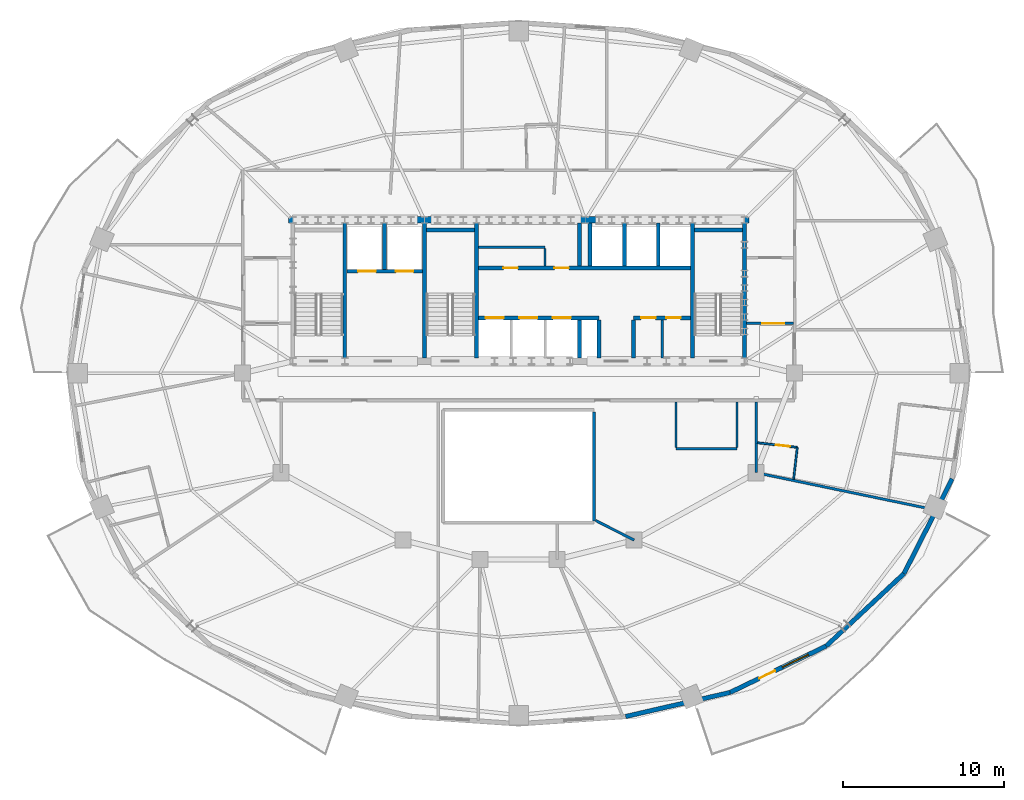
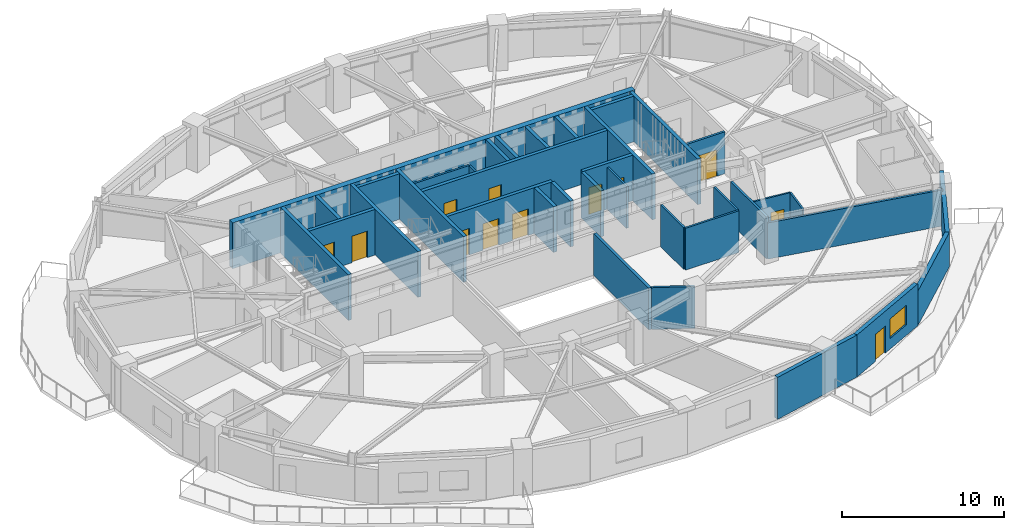
# One storey, part 5 of 10: 37 walls, 12 doors, 1 window, 13 openings.
"""IFC4 building model written with IfcOpenShell, lengths in metres."""

from ifc_helpers import new_model, si_unit, direction, frame, frame_2d, origin, place, context, subcontext, project, spatial, rectangle, extrude, material, layer, layer_set, type_object, element, fill, save


model = new_model("IFC4")

# Units and contexts
model_context = context("Model", 3, precision=1e-05, world=origin(), true_north=direction((0.0, 1.0)))
body_context = subcontext(model_context, "Body", "Model", "MODEL_VIEW")
ifc_project = project(units=[si_unit("LENGTHUNIT", "METRE"), si_unit("AREAUNIT", "SQUARE_METRE"), si_unit("VOLUMEUNIT", "CUBIC_METRE"), si_unit("PLANEANGLEUNIT", "RADIAN"), si_unit("MASSUNIT", "GRAM", prefix="KILO")], contexts=[model_context])

# Site, building, storey
site_placement = place(None, origin())
site = spatial("IfcSite", under=ifc_project, at=site_placement, CompositionType="ELEMENT")
building_placement = place(site_placement, origin())
building = spatial("IfcBuilding", under=site, at=building_placement, Name="Haldorwick Loom Tower", CompositionType="ELEMENT")
storey_placement = place(building_placement, frame((0.0, 0.0, 196.89990234375)))
storey = spatial("IfcBuildingStorey", under=building, at=storey_placement, Name="L53", CompositionType="ELEMENT", Elevation=196.89990234375)

# Wall
ifc_material_1 = material(Name="Pressed Clay Face Brick and Insulated Masonry Backup Assembly", Category="masonry")
ifc_layer_1 = layer(ifc_material_1, 0.280029296875, Name="Pressed Clay Face Brick and Insulated Masonry Backup Assembly", Category="masonry")
ifc_layer_set_1 = layer_set([ifc_layer_1], Name="Pressed Clay Face Brick and Insulated Masonry Backup Assembly")
wall_type_1 = type_object("IfcWallType", Name="ARC-WL-EXT280", PredefinedType="STANDARD", material=ifc_layer_set_1)
wall_1_placement = place(storey_placement, frame((42.665283203125, 4.61279296875, 0.0), z_axis=(0.0, 0.0, 1.0), x_axis=(0.974557343474, 0.224138315065, 0.0)))
element("IfcWall", 1, at=wall_1_placement, inside=storey, type_object=wall_type_1, Name="L53 Brick Pier and Spandrel Wall 20", PredefinedType="STANDARD", context=body_context, shape_type="SweptSolid", body=[
    extrude(rectangle(XDim=6.676025390625, YDim=0.280029296875, at=frame_2d((3.337890625, 0.0))), origin(), (0.0, 0.0, 1.0), 3.170166015625),
])

# Wall, openings, door, window
wall_2_placement = place(storey_placement, frame((49.17138671875, 6.109130859375, 0.0), z_axis=(0.0, 0.0, 1.0), x_axis=(0.900371236029, 0.435122554381, 0.0)))
wall_2 = element("IfcWall", 2, at=wall_2_placement, inside=storey, type_object=wall_type_1, Name="L53 Brick Pier and Spandrel Wall 21", PredefinedType="STANDARD", context=body_context, shape_type="SweptSolid", body=[
    extrude(rectangle(XDim=6.6533203125, YDim=0.280029296875, at=frame_2d((3.32666015625, 0.0))), origin(), (0.0, 0.0, 1.0), 3.170166015625),
])
opening_1_placement = place(wall_2_placement, frame((2.022705078125, 0.0, 0.0)))
opening_1 = element("IfcOpeningElement", 3, at=opening_1_placement, cuts=wall_2, Name="Opening D-BL11", PredefinedType="OPENING", context=body_context, shape_type="SweptSolid", body=[
    extrude(rectangle(XDim=1.080078125, YDim=2.0400390625, at=frame_2d((0.5400390625, 1.02001953125))), frame((0.0, 0.14990234375, 0.0), z_axis=(0.0, -1.0, 0.0), x_axis=(1.0, 0.0, 0.0)), (0.0, 0.0, 1.0), 0.300048828125),
])
opening_2_placement = place(wall_2_placement, frame((3.618896484375, 0.0, 0.800048828125)))
opening_2 = element("IfcOpeningElement", 4, at=opening_2_placement, cuts=wall_2, Name="Opening W-01", PredefinedType="OPENING", context=body_context, shape_type="SweptSolid", body=[
    extrude(rectangle(XDim=1.800048828125, YDim=1.47998046875, at=frame_2d((0.89990234375, 0.739990234375))), frame((0.0, 0.14990234375, 0.0), z_axis=(0.0, -1.0, 0.0), x_axis=(1.0, 0.0, 0.0)), (0.0, 0.0, 1.0), 0.300048828125),
])
ifc_material_2 = material(Name="Thermally Broken Anodized Aluminium Curtain Wall Framing", Category="aluminium")
door_type_1 = type_object("IfcDoorType", Name="ARC-DR-BAL110", OperationType="NOTDEFINED", PredefinedType="DOOR", material=ifc_material_2)
door_1_placement = place(opening_1_placement, origin())
door_1 = element("IfcDoor", 5, at=door_1_placement, inside=storey, type_object=door_type_1, Name="L53 Outdoor Terrace Door SLB-L53-BAL_SE", OperationType="SINGLE_SWING_RIGHT", OverallHeight=2.0400390625, OverallWidth=1.080078125, PredefinedType="DOOR", context=body_context, shape_type="SweptSolid", body=[
    extrude(rectangle(XDim=1.080078125, YDim=2.0400390625, at=frame_2d((0.5400390625, 1.02001953125))), frame((0.0, 0.02490234375, 0.0), z_axis=(0.0, -1.0, 0.0), x_axis=(1.0, 0.0, 0.0)), (0.0, 0.0, 1.0), 0.050048828125),
])
fill(opening_1, door_1)
ifc_material_3 = material(Name="Triple-Glazed Low-E Argon Insulated Glazing Unit", Category="glass")
window_type = type_object("IfcWindowType", Name="ARC-WIN-W180", PartitioningType="SINGLE_PANEL", PredefinedType="WINDOW", material=ifc_material_3)
window_placement = place(opening_2_placement, origin())
window = element("IfcWindow", 6, at=window_placement, inside=storey, type_object=window_type, Name="L53 Deep-Set Zone 7A Window 21", OverallHeight=1.47998046875, OverallWidth=1.800048828125, PartitioningType="SINGLE_PANEL", PredefinedType="WINDOW", context=body_context, shape_type="SweptSolid", body=[
    extrude(rectangle(XDim=1.800048828125, YDim=1.47998046875, at=frame_2d((0.89990234375, 0.739990234375))), frame((0.0, 0.030029296875, 0.0), z_axis=(0.0, -1.0, 0.0), x_axis=(1.0, 0.0, 0.0)), (0.0, 0.0, 1.0), 0.06005859375),
])
fill(opening_2, window)

# Walls
wall_3_placement = place(storey_placement, frame((55.161865234375, 9.004150390625, 0.0), z_axis=(0.0, 0.0, 1.0), x_axis=(0.731833707499, 0.681483253329, 0.0)))
element("IfcWall", 7, at=wall_3_placement, inside=storey, type_object=wall_type_1, Name="L53 Brick Pier and Spandrel Wall 22", PredefinedType="STANDARD", context=body_context, shape_type="SweptSolid", body=[
    extrude(rectangle(XDim=6.61865234375, YDim=0.280029296875, at=frame_2d((3.309326171875, 0.0))), origin(), (0.0, 0.0, 1.0), 2.60107421875),
])
wall_4_placement = place(storey_placement, frame((60.005615234375, 13.5146484375, 0.0), z_axis=(0.0, 0.0, 1.0), x_axis=(0.453032066879, 0.89149422117, 0.0)))
element("IfcWall", 8, at=wall_4_placement, inside=storey, type_object=wall_type_1, Name="L53 Brick Pier and Spandrel Wall 23", PredefinedType="STANDARD", context=body_context, shape_type="SweptSolid", body=[
    extrude(rectangle(XDim=6.618896484375, YDim=0.280029296875, at=frame_2d((3.3095703125, 0.0))), origin(), (0.0, 0.0, 1.0), 2.60107421875),
])

# Wall, opening, door
ifc_material_4 = material(Name="Fire-Rated Type X Gypsum Stud Assembly EI 60")
ifc_layer_2 = layer(ifc_material_4, 0.159912109375, Name="Fire-Rated Type X Gypsum Stud Assembly EI 60")
ifc_layer_set_2 = layer_set([ifc_layer_2], Name="Fire-Rated Type X Gypsum Stud Assembly EI 60")
wall_type_2 = type_object("IfcWallType", Name="ARC-WL-FIRE160", PredefinedType="PARTITIONING", material=ifc_layer_set_2)
wall_5_placement = place(storey_placement, frame((50.193115234375, 29.10009765625, 0.0), z_axis=(0.0, 0.0, 1.0), x_axis=(1.0, 0.0, 0.0)))
wall_5 = element("IfcWall", 9, at=wall_5_placement, inside=storey, type_object=wall_type_2, Name="L53 Residential Fire Partition L53-CR-ESJ", PredefinedType="PARTITIONING", context=body_context, shape_type="SweptSolid", body=[
    extrude(rectangle(XDim=2.923828125, YDim=0.159912109375, at=frame_2d((1.4619140625, 0.0))), origin(), (0.0, 0.0, 1.0), 3.155029296875),
])
opening_3_placement = place(wall_5_placement, frame((0.99560546875, 0.0, 0.0)))
opening_3 = element("IfcOpeningElement", 10, at=opening_3_placement, cuts=wall_5, Name="Opening D-CR15", PredefinedType="OPENING", context=body_context, shape_type="SweptSolid", body=[
    extrude(rectangle(XDim=1.35009765625, YDim=2.0, at=frame_2d((0.675048828125, 1.0))), frame((0.0, 0.08984375, 0.0), z_axis=(0.0, -1.0, 0.0), x_axis=(1.0, 0.0, 0.0)), (0.0, 0.0, 1.0), 0.179931640625),
])
ifc_material_5 = material(Name="Thermally Broken Anodized Aluminium and Tempered Glass", Category="aluminium")
door_type_2 = type_object("IfcDoorType", Name="ARC-DR-COR150", OperationType="NOTDEFINED", PredefinedType="DOOR", material=ifc_material_5)
door_2_placement = place(opening_3_placement, origin())
door_2 = element("IfcDoor", 11, at=door_2_placement, inside=storey, type_object=door_type_2, Name="L53 L53 East Residential Corridor to L53 Central Residential Corridor Do", OperationType="DOUBLE_DOOR_SINGLE_SWING", OverallHeight=2.0, OverallWidth=1.35009765625, PredefinedType="DOOR", context=body_context, shape_type="SweptSolid", body=[
    extrude(rectangle(XDim=1.35009765625, YDim=2.0, at=frame_2d((0.675048828125, 1.0))), frame((0.0, 0.02490234375, 0.0), z_axis=(0.0, -1.0, 0.0), x_axis=(1.0, 0.0, 0.0)), (0.0, 0.0, 1.0), 0.050048828125),
])
fill(opening_3, door_2)

# Walls
wall_6_placement = place(storey_placement, frame((50.800048828125, 19.800048828125, 0.0), z_axis=(0.0, 0.0, 1.0), x_axis=(0.979117284222, -0.203296197056, 0.0)))
element("IfcWall", 12, at=wall_6_placement, inside=storey, type_object=wall_type_2, Name="L53 Residential Fire Partition L53-ICR-02", PredefinedType="PARTITIONING", context=body_context, shape_type="SweptSolid", body=[
    extrude(rectangle(XDim=11.40869140625, YDim=0.159912109375, at=frame_2d((5.704345703125, 0.0))), origin(), (0.0, 0.0, 1.0), 2.732177734375),
])
wall_7_placement = place(storey_placement, frame((50.800048828125, 24.217041015625, 0.0), z_axis=(0.0, 0.0, 1.0), x_axis=(0.0, -1.0, 0.0)))
element("IfcWall", 13, at=wall_7_placement, inside=storey, type_object=wall_type_2, Name="L53 Residential Fire Partition L53-ICA-01", PredefinedType="PARTITIONING", context=body_context, shape_type="SweptSolid", body=[
    extrude(rectangle(XDim=4.4169921875, YDim=0.159912109375, at=frame_2d((2.20849609375, 0.0))), origin(), (0.0, 0.0, 1.0), 3.155029296875),
])
wall_8_placement = place(storey_placement, frame((40.802978515625, 16.822021484375, 0.0), z_axis=(0.0, 0.0, 1.0), x_axis=(0.890915506237, -0.454169088278, 0.0)))
element("IfcWall", 14, at=wall_8_placement, inside=storey, type_object=wall_type_2, Name="L53 Residential Fire Partition L53-ICA-03", PredefinedType="PARTITIONING", context=body_context, shape_type="SweptSolid", body=[
    extrude(rectangle(XDim=2.6904296875, YDim=0.159912109375, at=frame_2d((1.34521484375, 0.0))), origin(), (0.0, 0.0, 1.0), 3.155029296875),
])
ifc_material_6 = material(Name="Fire-Rated Type X Gypsum Stud Assembly EI 120")
ifc_layer_3 = layer(ifc_material_6, 0.199951171875, Name="Fire-Rated Type X Gypsum Stud Assembly EI 120")
ifc_layer_set_3 = layer_set([ifc_layer_3], Name="Fire-Rated Type X Gypsum Stud Assembly EI 120")
wall_type_3 = type_object("IfcWallType", Name="ARC-WL-FIRE200", PredefinedType="PARTITIONING", material=ifc_layer_set_3)
wall_9_placement = place(storey_placement, frame((40.699951171875, 23.596923828125, 0.0), z_axis=(0.0, 0.0, 1.0), x_axis=(0.0, -1.0, 0.0)))
element("IfcWall", 15, at=wall_9_placement, inside=storey, type_object=wall_type_3, Name="L53 Atrium Fire Enclosure Wall E", PredefinedType="PARTITIONING", context=body_context, shape_type="SweptSolid", body=[
    extrude(rectangle(XDim=6.7939453125, YDim=0.199951171875, at=frame_2d((3.39697265625, 0.0))), origin(), (0.0, 0.0, 1.0), 3.155029296875),
])
ifc_material_7 = material(Name="Acoustic Gypsum Stud Assembly STC 55")
ifc_layer_4 = layer(ifc_material_7, 0.1201171875, Name="Acoustic Gypsum Stud Assembly STC 55")
ifc_layer_set_4 = layer_set([ifc_layer_4], Name="Acoustic Gypsum Stud Assembly STC 55")
wall_type_4 = type_object("IfcWallType", Name="ARC-WL-PART120", PredefinedType="PARTITIONING", material=ifc_layer_set_4)
wall_10_placement = place(storey_placement, frame((53.131103515625, 19.400634765625, 0.0), z_axis=(0.0, 0.0, 1.0), x_axis=(0.115866587117, 0.993264785437, 0.0)))
element("IfcWall", 16, at=wall_10_placement, inside=storey, type_object=wall_type_4, Name="L53 Unit 53B Interior Partition", PredefinedType="PARTITIONING", context=body_context, shape_type="SweptSolid", body=[
    extrude(rectangle(XDim=1.9912109375, YDim=0.1201171875, at=frame_2d((0.99560546875, 0.0))), origin(), (0.0, 0.0, 1.0), 3.155029296875),
])

# Wall, opening, door
wall_11_placement = place(storey_placement, frame((50.883056640625, 21.667724609375, 0.0), z_axis=(0.0, 0.0, 1.0), x_axis=(0.993257695601, -0.115927348497, 0.0)))
wall_11 = element("IfcWall", 17, at=wall_11_placement, inside=storey, type_object=wall_type_4, Name="L53 Unit 53B Interior Partition", PredefinedType="PARTITIONING", context=body_context, shape_type="SweptSolid", body=[
    extrude(rectangle(XDim=2.49560546875, YDim=0.1201171875, at=frame_2d((1.247802734375, 0.0))), origin(), (0.0, 0.0, 1.0), 3.155029296875),
])
opening_4_placement = place(wall_11_placement, frame((1.15869140625, 0.0, 0.0)))
opening_4 = element("IfcOpeningElement", 18, at=opening_4_placement, cuts=wall_11, Name="Opening D-BT88", PredefinedType="OPENING", context=body_context, shape_type="SweptSolid", body=[
    extrude(rectangle(XDim=0.8798828125, YDim=2.02001953125, at=frame_2d((0.43994140625, 1.010009765625))), frame((0.0, 0.070068359375, 0.0), z_axis=(0.0, -1.0, 0.0), x_axis=(1.0, 0.0, 0.0)), (0.0, 0.0, 1.0), 0.14013671875),
])
ifc_material_8 = material(Name="Solid Core Birch Architectural Door")
door_type_3 = type_object("IfcDoorType", Name="ARC-DR-BATH88", OperationType="NOTDEFINED", PredefinedType="DOOR", material=ifc_material_8)
door_3_placement = place(opening_4_placement, origin())
door_3 = element("IfcDoor", 19, at=door_3_placement, inside=storey, type_object=door_type_3, Name="L53 Unit 53B Kitchen and Penthouse Living Room to Unit 53B Bathroom Door", OperationType="SINGLE_SWING_LEFT", OverallHeight=2.02001953125, OverallWidth=0.8798828125, PredefinedType="DOOR", context=body_context, shape_type="SweptSolid", body=[
    extrude(rectangle(XDim=0.8798828125, YDim=2.02001953125, at=frame_2d((0.43994140625, 1.010009765625))), frame((0.0, 0.02490234375, 0.0), z_axis=(0.0, -1.0, 0.0), x_axis=(1.0, 0.0, 0.0)), (0.0, 0.0, 1.0), 0.050048828125),
])
fill(opening_4, door_3)

# Walls
ifc_layer_5 = layer(ifc_material_4, 0.139892578125, Name="Fire-Rated Type X Gypsum Stud Assembly EI 60")
ifc_layer_set_5 = layer_set([ifc_layer_5], Name="Fire-Rated Type X Gypsum Stud Assembly EI 60")
wall_type_5 = type_object("IfcWallType", Name="ARC-WL-PART140", PredefinedType="PARTITIONING", material=ifc_layer_set_5)
wall_12_placement = place(storey_placement, frame((33.492919921875, 33.85009765625, 0.0), z_axis=(0.0, 0.0, 1.0), x_axis=(1.0, 0.0, 0.0)))
element("IfcWall", 20, at=wall_12_placement, inside=storey, type_object=wall_type_5, Name="L53 Storage South Partition", PredefinedType="PARTITIONING", context=body_context, shape_type="SweptSolid", body=[
    extrude(rectangle(XDim=4.156982421875, YDim=0.139892578125, at=frame_2d((2.07861328125, 0.0))), origin(), (0.0, 0.0, 1.0), 3.155029296875),
])
wall_13_placement = place(storey_placement, frame((37.64990234375, 32.673095703125, 0.0), z_axis=(0.0, 0.0, 1.0), x_axis=(0.0, 1.0, 0.0)))
element("IfcWall", 21, at=wall_13_placement, inside=storey, type_object=wall_type_5, Name="L53 Storage East Partition", PredefinedType="PARTITIONING", context=body_context, shape_type="SweptSolid", body=[
    extrude(rectangle(XDim=1.10400390625, YDim=0.139892578125, at=frame_2d((0.552001953125, 0.0))), origin(), (0.0, 0.0, 1.0), 3.155029296875),
])
wall_14_placement = place(storey_placement, frame((44.949951171875, 26.952880859375, 0.0), z_axis=(0.0, 0.0, 1.0), x_axis=(0.0, 1.0, 0.0)))
element("IfcWall", 22, at=wall_14_placement, inside=storey, type_object=wall_type_5, Name="L53 Service Partition", PredefinedType="PARTITIONING", context=body_context, shape_type="SweptSolid", body=[
    extrude(rectangle(XDim=2.3740234375, YDim=0.139892578125, at=frame_2d((1.18701171875, 0.0))), origin(), (0.0, 0.0, 1.0), 3.155029296875),
])
wall_15_placement = place(storey_placement, frame((45.800048828125, 21.300048828125, 0.0), z_axis=(0.0, 0.0, 1.0), x_axis=(1.0, 0.0, 0.0)))
element("IfcWall", 23, at=wall_15_placement, inside=storey, type_object=wall_type_5, Name="L53 Residential Fire Partition L53-CWC-S", PredefinedType="PARTITIONING", context=body_context, shape_type="SweptSolid", body=[
    extrude(rectangle(XDim=3.800048828125, YDim=0.139892578125, at=frame_2d((1.89990234375, 0.0))), origin(), (0.0, 0.0, 1.0), 3.155029296875),
])
for number, where, z_axis, x_axis, name in (
    (24, (45.800048828125, 21.373046875, 0.0), (0.0, 0.0, 1.0), (0.0, 1.0, 0.0), "L53 Residential Fire Partition L53-CWC-W"),
    (25, (49.60009765625, 21.373046875, 0.0), (0.0, 0.0, 1.0), (0.0, 1.0, 0.0), "L53 Residential Fire Partition L53-CWC-E"),
):
    element("IfcWall", number, at=place(storey_placement, frame(where, z_axis=z_axis, x_axis=x_axis)), inside=storey, type_object=wall_type_5, Name=name, PredefinedType="PARTITIONING", context=body_context, shape_type="SweptSolid", body=[
        extrude(rectangle(XDim=2.843994140625, YDim=0.139892578125, at=frame_2d((1.421875, 0.0))), origin(), (0.0, 0.0, 1.0), 3.155029296875),
    ])
ifc_material_9 = material(Name="Concrete C50 (50 MPa)", Category="concrete")
ifc_layer_6 = layer(ifc_material_9, 0.39990234375, Name="Concrete C50 (50 MPa)", Category="concrete")
ifc_layer_set_6 = layer_set([ifc_layer_6], Name="Concrete C50 (50 MPa)")
wall_type_6 = type_object("IfcWallType", Name="STR-WL-CORE400", PredefinedType="SHEAR", material=ifc_layer_set_6)
wall_16_placement = place(storey_placement, frame((50.35009765625, 35.550048828125, 0.0), z_axis=(0.0, 0.0, 1.0), x_axis=(-1.0, 0.0, 0.0)))
element("IfcWall", 26, at=wall_16_placement, inside=storey, type_object=wall_type_6, Name="L53 Core Shear Wall N", PredefinedType="SHEAR", context=body_context, shape_type="SweptSolid", body=[
    extrude(rectangle(XDim=28.7001953125, YDim=0.39990234375, at=frame_2d((14.35009765625, 0.0))), origin(), (0.0, 0.0, 1.0), 3.4501953125),
])
ifc_layer_7 = layer(ifc_material_9, 0.239990234375, Name="Concrete C50 (50 MPa)", Category="concrete")
ifc_layer_set_7 = layer_set([ifc_layer_7], Name="Concrete C50 (50 MPa)")
wall_type_7 = type_object("IfcWallType", Name="STR-WL-SHAFT240", PredefinedType="SHEAR", material=ifc_layer_set_7)
for number, where, z_axis, x_axis, name in (
    (27, (50.070068359375, 26.952880859375, 0.0), (0.0, 0.0, 1.0), (0.0, 1.0, 0.0), "L53 Core Shear Wall E"),
    (28, (25.169921875, 26.952880859375, 0.0), (0.0, 0.0, 1.0), (0.0, 1.0, 0.0), "L53 Core Shear Wall 1"),
    (29, (30.1298828125, 26.952880859375, 0.0), (0.0, 0.0, 1.0), (0.0, 1.0, 0.0), "L53 Core Shear Wall 2"),
    (30, (33.3701171875, 26.952880859375, 0.0), (0.0, 0.0, 1.0), (0.0, 1.0, 0.0), "L53 Core Shear Wall 3"),
):
    element("IfcWall", number, at=place(storey_placement, frame(where, z_axis=z_axis, x_axis=x_axis)), inside=storey, type_object=wall_type_7, Name=name, PredefinedType="SHEAR", context=body_context, shape_type="SweptSolid", body=[
        extrude(rectangle(XDim=8.39404296875, YDim=0.239990234375, at=frame_2d((4.197021484375, 0.0))), origin(), (0.0, 0.0, 1.0), 3.4501953125),
    ])
wall_17_placement = place(storey_placement, frame((30.2529296875, 34.919921875, 0.0), z_axis=(0.0, 0.0, 1.0), x_axis=(1.0, 0.0, 0.0)))
element("IfcWall", 31, at=wall_17_placement, inside=storey, type_object=wall_type_7, Name="L53 Core Shear Wall 3N", PredefinedType="SHEAR", context=body_context, shape_type="SweptSolid", body=[
    extrude(rectangle(XDim=2.994140625, YDim=0.239990234375, at=frame_2d((1.4970703125, 0.0))), origin(), (0.0, 0.0, 1.0), 3.4501953125),
])
wall_18_placement = place(storey_placement, frame((46.830078125, 26.952880859375, 0.0), z_axis=(0.0, 0.0, 1.0), x_axis=(0.0, 1.0, 0.0)))
element("IfcWall", 32, at=wall_18_placement, inside=storey, type_object=wall_type_7, Name="L53 Core Shear Wall 4", PredefinedType="SHEAR", context=body_context, shape_type="SweptSolid", body=[
    extrude(rectangle(XDim=8.39404296875, YDim=0.239990234375, at=frame_2d((4.197021484375, 0.0))), origin(), (0.0, 0.0, 1.0), 3.4501953125),
])
wall_19_placement = place(storey_placement, frame((46.952880859375, 34.919921875, 0.0), z_axis=(0.0, 0.0, 1.0), x_axis=(1.0, 0.0, 0.0)))
element("IfcWall", 33, at=wall_19_placement, inside=storey, type_object=wall_type_7, Name="L53 Core Shear Wall 4N", PredefinedType="SHEAR", context=body_context, shape_type="SweptSolid", body=[
    extrude(rectangle(XDim=2.994140625, YDim=0.239990234375, at=frame_2d((1.4970703125, 0.0))), origin(), (0.0, 0.0, 1.0), 3.4501953125),
])

# Wall, openings, doors
wall_20_placement = place(storey_placement, frame((25.29296875, 32.35009765625, 0.0), z_axis=(0.0, 0.0, 1.0), x_axis=(1.0, 0.0, 0.0)))
wall_20 = element("IfcWall", 34, at=wall_20_placement, inside=storey, type_object=wall_type_7, Name="L53 Core Shear Wall FF", PredefinedType="SHEAR", context=body_context, shape_type="SweptSolid", body=[
    extrude(rectangle(XDim=4.714111328125, YDim=0.239990234375, at=frame_2d((2.35693359375, 0.0))), origin(), (0.0, 0.0, 1.0), 3.4501953125),
])
opening_5_placement = place(wall_20_placement, frame((0.70703125, 0.0, 0.0)))
opening_5 = element("IfcOpeningElement", 35, at=opening_5_placement, cuts=wall_20, Name="Opening LD-FF1", PredefinedType="OPENING", context=body_context, shape_type="SweptSolid", body=[
    extrude(rectangle(XDim=1.10009765625, YDim=2.0, at=frame_2d((0.550048828125, 1.0))), frame((0.0, 0.1298828125, 0.0), z_axis=(0.0, -1.0, 0.0), x_axis=(1.0, 0.0, 0.0)), (0.0, 0.0, 1.0), 0.260009765625),
])
opening_6_placement = place(wall_20_placement, frame((3.056884765625, 0.0, 0.0)))
opening_6 = element("IfcOpeningElement", 36, at=opening_6_placement, cuts=wall_20, Name="Opening LD-FF2", PredefinedType="OPENING", context=body_context, shape_type="SweptSolid", body=[
    extrude(rectangle(XDim=1.10009765625, YDim=2.0, at=frame_2d((0.550048828125, 1.0))), frame((0.0, 0.1298828125, 0.0), z_axis=(0.0, -1.0, 0.0), x_axis=(1.0, 0.0, 0.0)), (0.0, 0.0, 1.0), 0.260009765625),
])
ifc_material_10 = material(Name="Hollow Steel Fire Door Assembly", Category="steel")
door_type_4 = type_object("IfcDoorType", Name="ARC-DR-LD-FF", OperationType="NOTDEFINED", PredefinedType="USERDEFINED", material=ifc_material_10)
door_4_placement = place(opening_5_placement, origin())
door_4 = element("IfcDoor", 37, at=door_4_placement, inside=storey, type_object=door_type_4, Name="L53 Lift LF-FF1 Sliding Landing Door", ObjectType="LANDING DOOR", OperationType="DOUBLE_DOOR_SLIDING", OverallHeight=2.0, OverallWidth=1.10009765625, PredefinedType="USERDEFINED", context=body_context, shape_type="SweptSolid", body=[
    extrude(rectangle(XDim=1.10009765625, YDim=2.0, at=frame_2d((0.550048828125, 1.0))), frame((0.0, 0.02490234375, 0.0), z_axis=(0.0, -1.0, 0.0), x_axis=(1.0, 0.0, 0.0)), (0.0, 0.0, 1.0), 0.050048828125),
])
fill(opening_5, door_4)
door_5_placement = place(opening_6_placement, origin())
door_5 = element("IfcDoor", 38, at=door_5_placement, inside=storey, type_object=door_type_4, Name="L53 Lift LF-FF2 Sliding Landing Door", ObjectType="LANDING DOOR", OperationType="DOUBLE_DOOR_SLIDING", OverallHeight=2.0, OverallWidth=1.10009765625, PredefinedType="USERDEFINED", context=body_context, shape_type="SweptSolid", body=[
    extrude(rectangle(XDim=1.10009765625, YDim=2.0, at=frame_2d((0.550048828125, 1.0))), frame((0.0, 0.02490234375, 0.0), z_axis=(0.0, -1.0, 0.0), x_axis=(1.0, 0.0, 0.0)), (0.0, 0.0, 1.0), 0.050048828125),
])
fill(opening_6, door_5)

# Wall
wall_21_placement = place(storey_placement, frame((27.64990234375, 32.472900390625, 0.0), z_axis=(0.0, 0.0, 1.0), x_axis=(0.0, 1.0, 0.0)))
element("IfcWall", 39, at=wall_21_placement, inside=storey, type_object=wall_type_7, Name="L53 Core Shear Wall FFD", PredefinedType="SHEAR", context=body_context, shape_type="SweptSolid", body=[
    extrude(rectangle(XDim=2.8740234375, YDim=0.239990234375, at=frame_2d((1.43701171875, 0.0))), origin(), (0.0, 0.0, 1.0), 3.4501953125),
])

# Wall, openings, doors
wall_22_placement = place(storey_placement, frame((33.492919921875, 32.550048828125, 0.0), z_axis=(0.0, 0.0, 1.0), x_axis=(1.0, 0.0, 0.0)))
wall_22 = element("IfcWall", 40, at=wall_22_placement, inside=storey, type_object=wall_type_7, Name="L53 Core Shear Wall LN", PredefinedType="SHEAR", context=body_context, shape_type="SweptSolid", body=[
    extrude(rectangle(XDim=13.214111328125, YDim=0.239990234375, at=frame_2d((6.60693359375, 0.0))), origin(), (0.0, 0.0, 1.0), 3.4501953125),
])
opening_7_placement = place(wall_22_placement, frame((1.556884765625, 0.0, 0.0)))
opening_7 = element("IfcOpeningElement", 41, at=opening_7_placement, cuts=wall_22, Name="Opening D-FD60A", PredefinedType="OPENING", context=body_context, shape_type="SweptSolid", body=[
    extrude(rectangle(XDim=0.89990234375, YDim=2.0, at=frame_2d((0.449951171875, 1.0))), frame((0.0, 0.1298828125, 0.0), z_axis=(0.0, -1.0, 0.0), x_axis=(1.0, 0.0, 0.0)), (0.0, 0.0, 1.0), 0.260009765625),
])
opening_8_placement = place(wall_22_placement, frame((4.737060546875, 0.0, 0.0)))
opening_8 = element("IfcOpeningElement", 42, at=opening_8_placement, cuts=wall_22, Name="Opening D-FD60A", PredefinedType="OPENING", context=body_context, shape_type="SweptSolid", body=[
    extrude(rectangle(XDim=0.89990234375, YDim=2.0, at=frame_2d((0.449951171875, 1.0))), frame((0.0, 0.1298828125, 0.0), z_axis=(0.0, -1.0, 0.0), x_axis=(1.0, 0.0, 0.0)), (0.0, 0.0, 1.0), 0.260009765625),
])
door_type_5 = type_object("IfcDoorType", Name="ARC-DR-FD60-90", OperationType="NOTDEFINED", PredefinedType="DOOR", material=ifc_material_10)
door_6_placement = place(opening_7_placement, frame((0.89990234375, 0.0, 0.0), z_axis=(0.0, 0.0, 1.0), x_axis=(-1.0, 0.0, 0.0)))
door_6 = element("IfcDoor", 43, at=door_6_placement, inside=storey, type_object=door_type_5, Name="L53 Resident Storage Door", OperationType="SINGLE_SWING_LEFT", OverallHeight=2.0, OverallWidth=0.89990234375, PredefinedType="DOOR", context=body_context, shape_type="SweptSolid", body=[
    extrude(rectangle(XDim=0.89990234375, YDim=2.0, at=frame_2d((0.449951171875, 1.0))), frame((0.0, 0.02490234375, 0.0), z_axis=(0.0, -1.0, 0.0), x_axis=(1.0, 0.0, 0.0)), (0.0, 0.0, 1.0), 0.050048828125),
])
fill(opening_7, door_6)
door_7_placement = place(opening_8_placement, frame((0.89990234375, 0.0, 0.0), z_axis=(0.0, 0.0, 1.0), x_axis=(-1.0, 0.0, 0.0)))
door_7 = element("IfcDoor", 44, at=door_7_placement, inside=storey, type_object=door_type_5, Name="L53 Laundry Door", OperationType="SINGLE_SWING_RIGHT", OverallHeight=2.0, OverallWidth=0.89990234375, PredefinedType="DOOR", context=body_context, shape_type="SweptSolid", body=[
    extrude(rectangle(XDim=0.89990234375, YDim=2.0, at=frame_2d((0.449951171875, 1.0))), frame((0.0, 0.02490234375, 0.0), z_axis=(0.0, -1.0, 0.0), x_axis=(1.0, 0.0, 0.0)), (0.0, 0.0, 1.0), 0.050048828125),
])
fill(opening_8, door_7)

wall_23_placement = place(storey_placement, frame((33.492919921875, 29.449951171875, 0.0), z_axis=(0.0, 0.0, 1.0), x_axis=(1.0, 0.0, 0.0)))
wall_23 = element("IfcWall", 45, at=wall_23_placement, inside=storey, type_object=wall_type_7, Name="L53 Core Shear Wall LS1", PredefinedType="SHEAR", context=body_context, shape_type="SweptSolid", body=[
    extrude(rectangle(XDim=7.507080078125, YDim=0.239990234375, at=frame_2d((3.75341796875, 0.0))), origin(), (0.0, 0.0, 1.0), 3.4501953125),
])
opening_9_placement = place(wall_23_placement, frame((0.447021484375, 0.0, 0.0)))
opening_9 = element("IfcOpeningElement", 46, at=opening_9_placement, cuts=wall_23, Name="Opening LD-M1", PredefinedType="OPENING", context=body_context, shape_type="SweptSolid", body=[
    extrude(rectangle(XDim=1.1201171875, YDim=2.0, at=frame_2d((0.56005859375, 1.0))), frame((0.0, 0.1298828125, 0.0), z_axis=(0.0, -1.0, 0.0), x_axis=(1.0, 0.0, 0.0)), (0.0, 0.0, 1.0), 0.260009765625),
])
opening_10_placement = place(wall_23_placement, frame((2.547119140625, 0.0, 0.0)))
opening_10 = element("IfcOpeningElement", 47, at=opening_10_placement, cuts=wall_23, Name="Opening LD-M2", PredefinedType="OPENING", context=body_context, shape_type="SweptSolid", body=[
    extrude(rectangle(XDim=1.1201171875, YDim=2.0, at=frame_2d((0.56005859375, 1.0))), frame((0.0, 0.1298828125, 0.0), z_axis=(0.0, -1.0, 0.0), x_axis=(1.0, 0.0, 0.0)), (0.0, 0.0, 1.0), 0.260009765625),
])
opening_11_placement = place(wall_23_placement, frame((4.64697265625, 0.0, 0.0)))
opening_11 = element("IfcOpeningElement", 48, at=opening_11_placement, cuts=wall_23, Name="Opening LD-M3", PredefinedType="OPENING", context=body_context, shape_type="SweptSolid", body=[
    extrude(rectangle(XDim=1.1201171875, YDim=2.0, at=frame_2d((0.56005859375, 1.0))), frame((0.0, 0.1298828125, 0.0), z_axis=(0.0, -1.0, 0.0), x_axis=(1.0, 0.0, 0.0)), (0.0, 0.0, 1.0), 0.260009765625),
])
door_type_6 = type_object("IfcDoorType", Name="ARC-DR-LD-PAX", OperationType="NOTDEFINED", PredefinedType="USERDEFINED", material=ifc_material_10)
door_8_placement = place(opening_9_placement, origin())
door_8 = element("IfcDoor", 49, at=door_8_placement, inside=storey, type_object=door_type_6, Name="L53 Lift LF-M1 Sliding Landing Door", ObjectType="LANDING DOOR", OperationType="DOUBLE_DOOR_SLIDING", OverallHeight=2.0, OverallWidth=1.1201171875, PredefinedType="USERDEFINED", context=body_context, shape_type="SweptSolid", body=[
    extrude(rectangle(XDim=1.1201171875, YDim=2.0, at=frame_2d((0.56005859375, 1.0))), frame((0.0, 0.02490234375, 0.0), z_axis=(0.0, -1.0, 0.0), x_axis=(1.0, 0.0, 0.0)), (0.0, 0.0, 1.0), 0.050048828125),
])
fill(opening_9, door_8)
door_9_placement = place(opening_10_placement, origin())
door_9 = element("IfcDoor", 50, at=door_9_placement, inside=storey, type_object=door_type_6, Name="L53 Lift LF-M2 Sliding Landing Door", ObjectType="LANDING DOOR", OperationType="DOUBLE_DOOR_SLIDING", OverallHeight=2.0, OverallWidth=1.1201171875, PredefinedType="USERDEFINED", context=body_context, shape_type="SweptSolid", body=[
    extrude(rectangle(XDim=1.1201171875, YDim=2.0, at=frame_2d((0.56005859375, 1.0))), frame((0.0, 0.02490234375, 0.0), z_axis=(0.0, -1.0, 0.0), x_axis=(1.0, 0.0, 0.0)), (0.0, 0.0, 1.0), 0.050048828125),
])
fill(opening_10, door_9)
door_10_placement = place(opening_11_placement, origin())
door_10 = element("IfcDoor", 51, at=door_10_placement, inside=storey, type_object=door_type_6, Name="L53 Lift LF-M3 Sliding Landing Door", ObjectType="LANDING DOOR", OperationType="DOUBLE_DOOR_SLIDING", OverallHeight=2.0, OverallWidth=1.1201171875, PredefinedType="USERDEFINED", context=body_context, shape_type="SweptSolid", body=[
    extrude(rectangle(XDim=1.1201171875, YDim=2.0, at=frame_2d((0.56005859375, 1.0))), frame((0.0, 0.02490234375, 0.0), z_axis=(0.0, -1.0, 0.0), x_axis=(1.0, 0.0, 0.0)), (0.0, 0.0, 1.0), 0.050048828125),
])
fill(opening_11, door_10)

wall_24_placement = place(storey_placement, frame((43.14990234375, 29.449951171875, 0.0), z_axis=(0.0, 0.0, 1.0), x_axis=(1.0, 0.0, 0.0)))
wall_24 = element("IfcWall", 52, at=wall_24_placement, inside=storey, type_object=wall_type_7, Name="L53 Core Shear Wall LS2", PredefinedType="SHEAR", context=body_context, shape_type="SweptSolid", body=[
    extrude(rectangle(XDim=3.55712890625, YDim=0.239990234375, at=frame_2d((1.778564453125, 0.0))), origin(), (0.0, 0.0, 1.0), 3.4501953125),
])
opening_12_placement = place(wall_24_placement, frame((0.47998046875, 0.0, 0.0)))
opening_12 = element("IfcOpeningElement", 53, at=opening_12_placement, cuts=wall_24, Name="Opening D-FD60A", PredefinedType="OPENING", context=body_context, shape_type="SweptSolid", body=[
    extrude(rectangle(XDim=0.89990234375, YDim=2.0, at=frame_2d((0.449951171875, 1.0))), frame((0.0, 0.1298828125, 0.0), z_axis=(0.0, -1.0, 0.0), x_axis=(1.0, 0.0, 0.0)), (0.0, 0.0, 1.0), 0.260009765625),
])
opening_13_placement = place(wall_24_placement, frame((2.050048828125, 0.0, 0.0)))
opening_13 = element("IfcOpeningElement", 54, at=opening_13_placement, cuts=wall_24, Name="Opening D-FD60A", PredefinedType="OPENING", context=body_context, shape_type="SweptSolid", body=[
    extrude(rectangle(XDim=0.89990234375, YDim=2.0, at=frame_2d((0.449951171875, 1.0))), frame((0.0, 0.1298828125, 0.0), z_axis=(0.0, -1.0, 0.0), x_axis=(1.0, 0.0, 0.0)), (0.0, 0.0, 1.0), 0.260009765625),
])
door_11_placement = place(opening_12_placement, origin())
door_11 = element("IfcDoor", 55, at=door_11_placement, inside=storey, type_object=door_type_5, Name="L53 Electrical Room Door", OperationType="SINGLE_SWING_LEFT", OverallHeight=2.0, OverallWidth=0.89990234375, PredefinedType="DOOR", context=body_context, shape_type="SweptSolid", body=[
    extrude(rectangle(XDim=0.89990234375, YDim=2.0, at=frame_2d((0.449951171875, 1.0))), frame((0.0, 0.02490234375, 0.0), z_axis=(0.0, -1.0, 0.0), x_axis=(1.0, 0.0, 0.0)), (0.0, 0.0, 1.0), 0.050048828125),
])
fill(opening_12, door_11)
door_12_placement = place(opening_13_placement, origin())
door_12 = element("IfcDoor", 56, at=door_12_placement, inside=storey, type_object=door_type_5, Name="L53 Cleaner's Store Door", OperationType="SINGLE_SWING_LEFT", OverallHeight=2.0, OverallWidth=0.89990234375, PredefinedType="DOOR", context=body_context, shape_type="SweptSolid", body=[
    extrude(rectangle(XDim=0.89990234375, YDim=2.0, at=frame_2d((0.449951171875, 1.0))), frame((0.0, 0.02490234375, 0.0), z_axis=(0.0, -1.0, 0.0), x_axis=(1.0, 0.0, 0.0)), (0.0, 0.0, 1.0), 0.050048828125),
])
fill(opening_13, door_12)

# Walls
for number, where, z_axis, x_axis, name in (
    (57, (41.0, 26.952880859375, 0.0), (0.0, 0.0, 1.0), (0.0, 1.0, 0.0), "L53 Core Shear Wall THW"),
    (58, (43.14990234375, 26.952880859375, 0.0), (0.0, 0.0, 1.0), (0.0, 1.0, 0.0), "L53 Core Shear Wall THE"),
):
    element("IfcWall", number, at=place(storey_placement, frame(where, z_axis=z_axis, x_axis=x_axis)), inside=storey, type_object=wall_type_7, Name=name, PredefinedType="SHEAR", context=body_context, shape_type="SweptSolid", body=[
        extrude(rectangle(XDim=2.3740234375, YDim=0.239990234375, at=frame_2d((1.18701171875, 0.0))), origin(), (0.0, 0.0, 1.0), 3.4501953125),
    ])
for number, where, z_axis, x_axis, name in (
    (59, (39.800048828125, 32.673095703125, 0.0), (0.0, 0.0, 1.0), (0.0, 1.0, 0.0), "L53 Core Shear Wall LHW"),
    (60, (40.449951171875, 32.673095703125, 0.0), (0.0, 0.0, 1.0), (0.0, 1.0, 0.0), "L53 Core Shear Wall H0"),
    (61, (42.60009765625, 32.673095703125, 0.0), (0.0, 0.0, 1.0), (0.0, 1.0, 0.0), "L53 Core Shear Wall H1"),
    (62, (44.699951171875, 32.673095703125, 0.0), (0.0, 0.0, 1.0), (0.0, 1.0, 0.0), "L53 Core Shear Wall H2"),
):
    element("IfcWall", number, at=place(storey_placement, frame(where, z_axis=z_axis, x_axis=x_axis)), inside=storey, type_object=wall_type_7, Name=name, PredefinedType="SHEAR", context=body_context, shape_type="SweptSolid", body=[
        extrude(rectangle(XDim=2.673828125, YDim=0.239990234375, at=frame_2d((1.3369140625, 0.0))), origin(), (0.0, 0.0, 1.0), 3.4501953125),
    ])
wall_25_placement = place(storey_placement, frame((39.800048828125, 26.952880859375, 0.0), z_axis=(0.0, 0.0, 1.0), x_axis=(0.0, 1.0, 0.0)))
element("IfcWall", 63, at=wall_25_placement, inside=storey, type_object=wall_type_7, Name="L53 Core Shear Wall MRW", PredefinedType="SHEAR", context=body_context, shape_type="SweptSolid", body=[
    extrude(rectangle(XDim=2.3740234375, YDim=0.239990234375, at=frame_2d((1.18701171875, 0.0))), origin(), (0.0, 0.0, 1.0), 3.4501953125),
])

save(model, "model.ifc")
